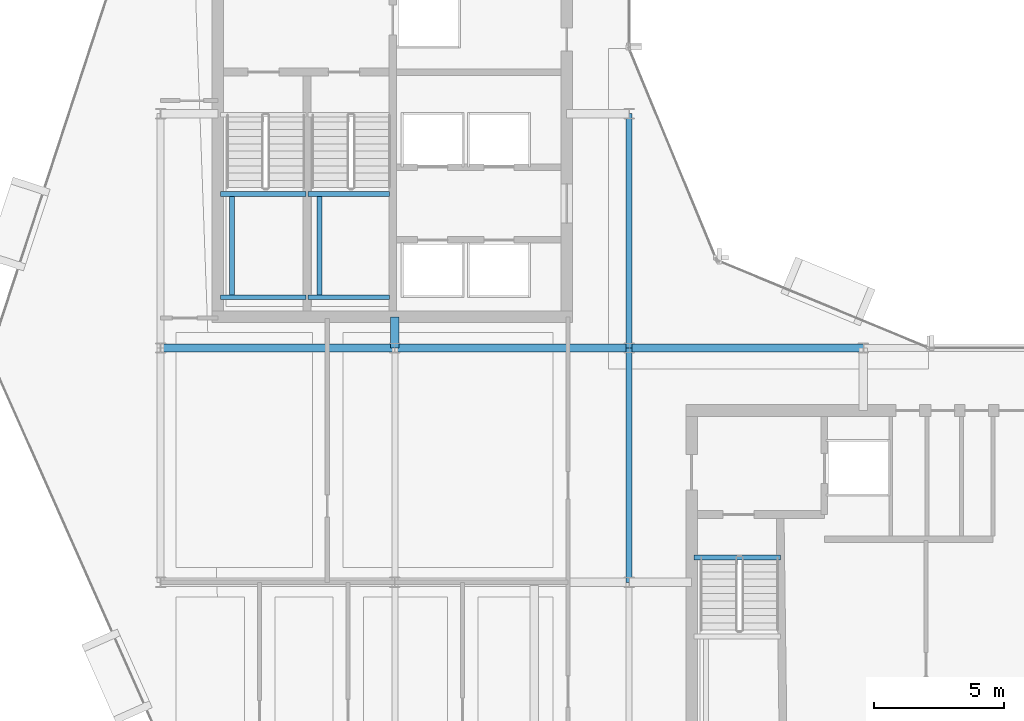
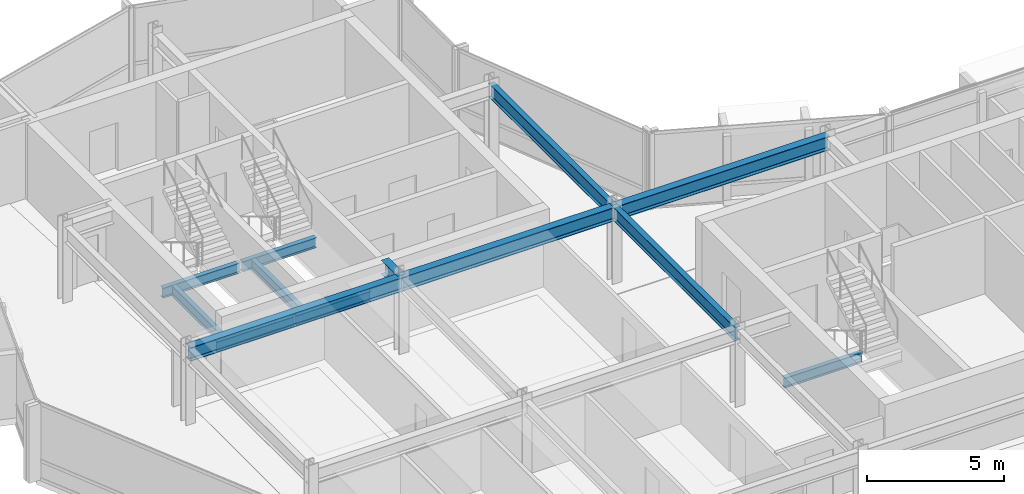
# One storey, part 7 of 27: 13 beams.
"""IFC4 building model written with IfcOpenShell, lengths in metres."""

import ifcopenshell
import ifcopenshell.guid

model = None  # the IFC model being written
_history = None  # IfcOwnerHistory: only IFC2X3 demands one
_inside = {}  # id of a spatial element -> (the spatial element, [elements in it])
_under = {}  # id of a project, library or spatial element -> (it, [spatial elements below it])
_declared = {}  # id of a project -> (the project, [libraries it declares])
_typed = {}  # id of a type object -> (the type object, [elements of that type])
_made_of = {}  # id of a material, layer set ... -> (it, [elements and type objects made of it])


def new_model(schema):
    """Start an empty IFC model of exactly this schema.

    Asked for "IFC4X3", IfcOpenShell would pick the latest addendum, in which some entities
    have other attributes; the version numbers below select the first issue.
    IFC2X3 requires an IfcOwnerHistory on every rooted entity: one is made here for all.
    """
    global model, _history
    if schema == "IFC4X3":
        model = ifcopenshell.file(schema_version=(4, 3, 0, 0))
    else:
        model = ifcopenshell.file(schema=schema)
    _inside.clear()
    _under.clear()
    _declared.clear()
    _typed.clear()
    _made_of.clear()
    _history = None
    if model.schema == "IFC2X3":
        org = make("IfcOrganization", Name="unknown")
        user = make(
            "IfcPersonAndOrganization",
            ThePerson=make("IfcPerson", FamilyName="unknown"),
            TheOrganization=org,
        )
        app = make(
            "IfcApplication",
            ApplicationDeveloper=org,
            Version="unknown",
            ApplicationFullName="unknown",
            ApplicationIdentifier="unknown",
        )
        _history = make(
            "IfcOwnerHistory",
            OwningUser=user,
            OwningApplication=app,
            ChangeAction="ADDED",
            CreationDate=0,
        )
    return model


def make(cls, **values):
    """One entity of the class cls with the attributes given. An attribute that is None is left unset."""
    return model.create_entity(
        cls, **{name: value for name, value in values.items() if value is not None}
    )


def rooted(cls, **values):
    """An entity with a GlobalId (a new one), such as an element, a storey or a relation."""
    return make(cls, GlobalId=ifcopenshell.guid.new(), OwnerHistory=_history, **values)


def si_unit(unit_type, name, prefix=None):
    """IfcSIUnit, for example si_unit("LENGTHUNIT", "METRE", prefix="MILLI")."""
    return make("IfcSIUnit", UnitType=unit_type, Prefix=prefix, Name=name)


def assignment(units):
    """IfcUnitAssignment: the units of a project."""
    return None if units is None else make("IfcUnitAssignment", Units=units)


def point(xyz):
    """IfcCartesianPoint."""
    return None if xyz is None else make("IfcCartesianPoint", Coordinates=xyz)


def direction(xyz):
    """IfcDirection."""
    return None if xyz is None else make("IfcDirection", DirectionRatios=xyz)


def frame(location, z_axis=None, x_axis=None):
    """IfcAxis2Placement3D, a coordinate frame: its origin and axes. An axis left out is left unset."""
    return make(
        "IfcAxis2Placement3D",
        Location=point(location),
        Axis=direction(z_axis),
        RefDirection=direction(x_axis),
    )


def frame_2d(location, x_axis=None):
    """IfcAxis2Placement2D, a coordinate frame in the plane: its origin and x axis."""
    return make(
        "IfcAxis2Placement2D", Location=point(location), RefDirection=direction(x_axis)
    )


def origin():
    """The frame at (0, 0, 0) with its axes left unset."""
    return frame((0.0, 0.0, 0.0))


def origin_2d():
    """The frame at (0, 0) in the plane with its x axis left unset."""
    return frame_2d((0.0, 0.0))


def place(relative_to, where):
    """IfcLocalPlacement: puts the frame where relative to a parent placement (None: the world)."""
    return make(
        "IfcLocalPlacement", PlacementRelTo=relative_to, RelativePlacement=where
    )


def context(
    kind, dimensions, precision=None, world=None, true_north=None, identifier=None
):
    """IfcGeometricRepresentationContext, for example the 3D "Model" context."""
    return make(
        "IfcGeometricRepresentationContext",
        ContextIdentifier=identifier,
        ContextType=kind,
        CoordinateSpaceDimension=dimensions,
        Precision=precision,
        WorldCoordinateSystem=world,
        TrueNorth=true_north,
    )


def subcontext(parent, identifier, kind, view, scale=None):
    """IfcGeometricRepresentationSubContext, for example "Body" below "Model"."""
    return make(
        "IfcGeometricRepresentationSubContext",
        ContextIdentifier=identifier,
        ContextType=kind,
        ParentContext=parent,
        TargetScale=scale,
        TargetView=view,
    )


def project(units=None, contexts=None):
    """IfcProject with its units and contexts."""
    return rooted(
        "IfcProject",
        Name="project",
        RepresentationContexts=contexts,
        UnitsInContext=assignment(units),
    )


def spatial(cls, under=None, at=None, **own):
    """A site, building, storey or space (cls), placed at a placement, below another one or the project."""
    s = rooted(cls, ObjectPlacement=at, **own)
    if under is not None:
        _under.setdefault(under.id(), (under, []))[1].append(s)
    return s


def profile(cls, at=None, kind="AREA", **sizes):
    """A parametric profile (cls). Its sizes go by their IFC names, for example OverallWidth=200.0."""
    return make(cls, ProfileType=kind, Position=at, **sizes)


def i_section(**sizes):
    """IfcIShapeProfileDef."""
    return profile("IfcIShapeProfileDef", **sizes)


def extrude(swept, where, along, depth):
    """IfcExtrudedAreaSolid: the profile swept, set in the frame where, extruded along a direction by depth."""
    return make(
        "IfcExtrudedAreaSolid",
        SweptArea=swept,
        Position=where,
        ExtrudedDirection=direction(along),
        Depth=depth,
    )


def shape(context_of_items, identifier, shape_type, items):
    """IfcShapeRepresentation: the items that make up one representation, for example the "Body"."""
    return make(
        "IfcShapeRepresentation",
        ContextOfItems=context_of_items,
        RepresentationIdentifier=identifier,
        RepresentationType=shape_type,
        Items=items,
    )


def material(Name=None, Category=None):
    """IfcMaterial."""
    return make("IfcMaterial", Name=Name, Category=Category)


def material_profile(
    of_material, cross_section, Name=None, Category=None, Priority=None
):
    """IfcMaterialProfile: a cross section and its material."""
    return make(
        "IfcMaterialProfile",
        Name=Name,
        Material=of_material,
        Profile=cross_section,
        Priority=Priority,
        Category=Category,
    )


def profile_set(profiles, Name=None, composite=None):
    """IfcMaterialProfileSet."""
    return make(
        "IfcMaterialProfileSet",
        Name=Name,
        MaterialProfiles=profiles,
        CompositeProfile=composite,
    )


def made_of(thing, what):
    """Note that an element or type object is made of a material, layer set ...; save() writes the relation."""
    if what is not None:
        _made_of.setdefault(what.id(), (what, []))[1].append(thing)
    return thing


def type_object(cls, material=None, **own):
    """A type object (cls), such as IfcWallType, which elements share."""
    return made_of(rooted(cls, **own), material)


def element(
    cls,
    number,
    at=None,
    inside=None,
    cuts=None,
    type_object=None,
    material=None,
    context=None,
    identifier="Body",
    shape_type=None,
    held_by="IfcProductDefinitionShape",
    body=None,
    shapes=None,
    **own,
):
    """One element of the class cls, such as IfcWall. Its Tag is "e" and its number.

    at: its placement. inside: the storey or other place that contains it. cuts: it is an
    opening in that element (IfcRelVoidsElement). A single representation is given by context,
    identifier, shape_type and body (its items); several are given by shapes. held_by: the class
    of the entity that holds the representations. save() writes the other relations.
    """
    e = rooted(cls, Tag="e%d" % number, ObjectPlacement=at, **own)
    if body is not None:
        shapes = [shape(context, identifier, shape_type, body)]
    if shapes is not None:
        e.Representation = make(held_by, Representations=shapes)
    if inside is not None:
        _inside.setdefault(inside.id(), (inside, []))[1].append(e)
    if cuts is not None:
        rooted(
            "IfcRelVoidsElement", RelatingBuildingElement=cuts, RelatedOpeningElement=e
        )
    if type_object is not None:
        _typed.setdefault(type_object.id(), (type_object, []))[1].append(e)
    return made_of(e, material)


def aggregate(whole, parts):
    """IfcRelAggregates: a whole, such as a stair, and the parts it consists of."""
    return rooted("IfcRelAggregates", RelatingObject=whole, RelatedObjects=parts)


def save(model, path):
    """Write the relations noted so far, then the file.

    IfcRelAggregates (storeys below a building ...), IfcRelContainedInSpatialStructure (elements
    in a storey), IfcRelDefinesByType, IfcRelAssociatesMaterial and IfcRelDeclares: one each for
    every whole, place, type object, material and project.
    """
    for whole, parts in _under.values():
        aggregate(whole, parts)
    for where, things in _inside.values():
        rooted(
            "IfcRelContainedInSpatialStructure",
            RelatedElements=things,
            RelatingStructure=where,
        )
    for kind, things in _typed.values():
        rooted("IfcRelDefinesByType", RelatedObjects=things, RelatingType=kind)
    for what, things in _made_of.values():
        rooted("IfcRelAssociatesMaterial", RelatedObjects=things, RelatingMaterial=what)
    for by, libraries in _declared.values():
        rooted("IfcRelDeclares", RelatingContext=by, RelatedDefinitions=libraries)
    model.write(path)


model = new_model("IFC4")

# Units and contexts
model_context = context("Model", 3, precision=1e-05, world=origin(), true_north=direction((0.0, 1.0)))
body_context = subcontext(model_context, "Body", "Model", "MODEL_VIEW")
ifc_project = project(units=[si_unit("LENGTHUNIT", "METRE"), si_unit("AREAUNIT", "SQUARE_METRE"), si_unit("VOLUMEUNIT", "CUBIC_METRE"), si_unit("PLANEANGLEUNIT", "RADIAN"), si_unit("MASSUNIT", "GRAM", prefix="KILO")], contexts=[model_context])

# Site, building, storey
site_placement = place(None, origin())
site = spatial("IfcSite", under=ifc_project, at=site_placement, CompositionType="ELEMENT")
building_placement = place(site_placement, origin())
building = spatial("IfcBuilding", under=site, at=building_placement, Name="Solvaryn Broadcast Tower", CompositionType="ELEMENT")
storey_placement = place(building_placement, frame((0.0, 0.0, 228.39990234375)))
storey = spatial("IfcBuildingStorey", under=building, at=storey_placement, Name="L57", CompositionType="ELEMENT", Elevation=228.39990234375)

# Beams
ifc_material_1 = material(Name="Steel ASTM A992 Grade 50", Category="steel")
ifc_material_profile_1 = material_profile(ifc_material_1, i_section(OverallWidth=0.323974609375, OverallDepth=0.611083984375, WebThickness=0.0126953125, FlangeThickness=0.01904296875, FilletRadius=0.014892578125, at=origin_2d()))
ifc_profile_set_1 = profile_set([ifc_material_profile_1], Name="Steel ASTM A992 Grade 50")
beam_type_1 = type_object("IfcBeamType", Name="BM-B1-W24X104", PredefinedType="BEAM", material=ifc_profile_set_1)
for number, where, z_axis, x_axis, name in (
    (1, (9.0, 27.0, 3.114501953125), (1.0, 0.0, 0.0), (0.0, 1.0, 0.0), "L57 Primary Beam X (9-18 @ Y=27)"),
    (2, (18.0, 27.0, 3.114501953125), (1.0, 0.0, 0.0), (0.0, 1.0, 0.0), "L57 Primary Beam X (18-27 @ Y=27)"),
    (3, (27.0, 27.0, 3.114501953125), (1.0, 0.0, 0.0), (0.0, 1.0, 0.0), "L57 Primary Beam X (27-36 @ Y=27)"),
):
    element("IfcBeam", number, at=place(storey_placement, frame(where, z_axis=z_axis, x_axis=x_axis)), inside=storey, type_object=beam_type_1, Name=name, PredefinedType="BEAM", context=body_context, shape_type="SweptSolid", body=[
        extrude(i_section(OverallWidth=0.323974609375, OverallDepth=0.611083984375, WebThickness=0.0126953125, FlangeThickness=0.01904296875, FilletRadius=0.014892578125, at=origin_2d()), origin(), (0.0, 0.0, 1.0), 9.0),
    ])
beam_1_placement = place(storey_placement, frame((18.0, 27.0, 3.114501953125), z_axis=(0.0, 1.0, 0.0), x_axis=(-1.0, 0.0, 0.0)))
element("IfcBeam", 4, at=beam_1_placement, inside=storey, type_object=beam_type_1, Name="L57 Core Tie Beam CTW4", PredefinedType="BEAM", context=body_context, shape_type="SweptSolid", body=[
    extrude(i_section(OverallWidth=0.323974609375, OverallDepth=0.611083984375, WebThickness=0.0126953125, FlangeThickness=0.01904296875, FilletRadius=0.014892578125, at=origin_2d()), origin(), (0.0, 0.0, 1.0), 1.199951171875),
])
ifc_material_2 = material(Name="Steel ASTM A992 Grade 50", Category="steel")
ifc_material_profile_2 = material_profile(ifc_material_2, i_section(OverallWidth=0.22802734375, OverallDepth=0.60791015625, WebThickness=0.01123046875, FlangeThickness=0.017333984375, FilletRadius=0.014892578125, at=origin_2d()))
ifc_profile_set_2 = profile_set([ifc_material_profile_2], Name="Steel ASTM A992 Grade 50")
beam_type_2 = type_object("IfcBeamType", Name="BM-B2-W24X76", PredefinedType="BEAM", material=ifc_profile_set_2)
for number, where, z_axis, x_axis, name in (
    (5, (27.0, 18.0, 3.1162109375), (0.0, 1.0, 0.0), (-1.0, 0.0, 0.0), "L57 Primary Beam Y (18-27 @ X=27)"),
    (6, (27.0, 27.0, 3.1162109375), (0.0, 1.0, 0.0), (-1.0, 0.0, 0.0), "L57 Primary Beam Y (27-36 @ X=27)"),
):
    element("IfcBeam", number, at=place(storey_placement, frame(where, z_axis=z_axis, x_axis=x_axis)), inside=storey, type_object=beam_type_2, Name=name, PredefinedType="BEAM", context=body_context, shape_type="SweptSolid", body=[
        extrude(i_section(OverallWidth=0.22802734375, OverallDepth=0.60791015625, WebThickness=0.01123046875, FlangeThickness=0.017333984375, FilletRadius=0.014892578125, at=origin_2d()), origin(), (0.0, 0.0, 1.0), 9.0),
    ])
ifc_material_3 = material(Name="Steel ASTM A992 Grade 50", Category="steel")
ifc_material_profile_3 = material_profile(ifc_material_3, i_section(OverallWidth=0.18994140625, OverallDepth=0.45703125, WebThickness=0.009033203125, FlangeThickness=0.014404296875, FilletRadius=0.011962890625, at=origin_2d()))
ifc_profile_set_3 = profile_set([ifc_material_profile_3], Name="Steel ASTM A992 Grade 50")
beam_type_3 = type_object("IfcBeamType", Name="BM-B4-W18X50", PredefinedType="BEAM", material=ifc_profile_set_3)
for number, where, z_axis, x_axis, name in (
    (7, (11.300048828125, 28.949951171875, 1.421630859375), (1.0, 0.0, 0.0), (0.0, 1.0, 0.0), "L57 ST1 Landing Support Beam 1A"),
    (8, (11.300048828125, 32.909912109375, 1.421630859375), (1.0, 0.0, 0.0), (0.0, 1.0, 0.0), "L57 ST1 Landing Support Beam 1B"),
):
    element("IfcBeam", number, at=place(storey_placement, frame(where, z_axis=z_axis, x_axis=x_axis)), inside=storey, type_object=beam_type_3, Name=name, PredefinedType="BEAM", context=body_context, shape_type="SweptSolid", body=[
        extrude(i_section(OverallWidth=0.18994140625, OverallDepth=0.45703125, WebThickness=0.009033203125, FlangeThickness=0.014404296875, FilletRadius=0.011962890625, at=origin_2d()), origin(), (0.0, 0.0, 1.0), 3.280029296875),
    ])
beam_2_placement = place(storey_placement, frame((11.75, 28.949951171875, 1.421630859375), z_axis=(0.0, 1.0, 0.0), x_axis=(-1.0, 0.0, 0.0)))
element("IfcBeam", 9, at=beam_2_placement, inside=storey, type_object=beam_type_3, Name="L57 ST1 Landing Cross Stringer 1C", PredefinedType="BEAM", context=body_context, shape_type="SweptSolid", body=[
    extrude(i_section(OverallWidth=0.18994140625, OverallDepth=0.45703125, WebThickness=0.009033203125, FlangeThickness=0.014404296875, FilletRadius=0.011962890625, at=origin_2d()), origin(), (0.0, 0.0, 1.0), 3.9599609375),
])
for number, where, z_axis, x_axis, name in (
    (10, (14.659912109375, 28.949951171875, 1.421630859375), (1.0, 0.0, 0.0), (0.0, 1.0, 0.0), "L57 ST2 Landing Support Beam 1A"),
    (11, (14.659912109375, 32.909912109375, 1.421630859375), (1.0, 0.0, 0.0), (0.0, 1.0, 0.0), "L57 ST2 Landing Support Beam 1B"),
):
    element("IfcBeam", number, at=place(storey_placement, frame(where, z_axis=z_axis, x_axis=x_axis)), inside=storey, type_object=beam_type_3, Name=name, PredefinedType="BEAM", context=body_context, shape_type="SweptSolid", body=[
        extrude(i_section(OverallWidth=0.18994140625, OverallDepth=0.45703125, WebThickness=0.009033203125, FlangeThickness=0.014404296875, FilletRadius=0.011962890625, at=origin_2d()), origin(), (0.0, 0.0, 1.0), 3.14013671875),
    ])
beam_3_placement = place(storey_placement, frame((15.110107421875, 28.949951171875, 1.421630859375), z_axis=(0.0, 1.0, 0.0), x_axis=(-1.0, 0.0, 0.0)))
element("IfcBeam", 12, at=beam_3_placement, inside=storey, type_object=beam_type_3, Name="L57 ST2 Landing Cross Stringer 1C", PredefinedType="BEAM", context=body_context, shape_type="SweptSolid", body=[
    extrude(i_section(OverallWidth=0.18994140625, OverallDepth=0.45703125, WebThickness=0.009033203125, FlangeThickness=0.014404296875, FilletRadius=0.011962890625, at=origin_2d()), origin(), (0.0, 0.0, 1.0), 3.9599609375),
])
beam_4_placement = place(storey_placement, frame((29.5, 18.9599609375, -0.50830078125), z_axis=(1.0, 0.0, 0.0), x_axis=(0.0, 1.0, 0.0)))
element("IfcBeam", 13, at=beam_4_placement, inside=storey, type_object=beam_type_3, Name="L57 ST3 Stair Well Trimmer Beam", PredefinedType="BEAM", context=body_context, shape_type="SweptSolid", body=[
    extrude(i_section(OverallWidth=0.18994140625, OverallDepth=0.45703125, WebThickness=0.009033203125, FlangeThickness=0.014404296875, FilletRadius=0.011962890625, at=origin_2d()), origin(), (0.0, 0.0, 1.0), 3.320068359375),
])

save(model, "model.ifc")
